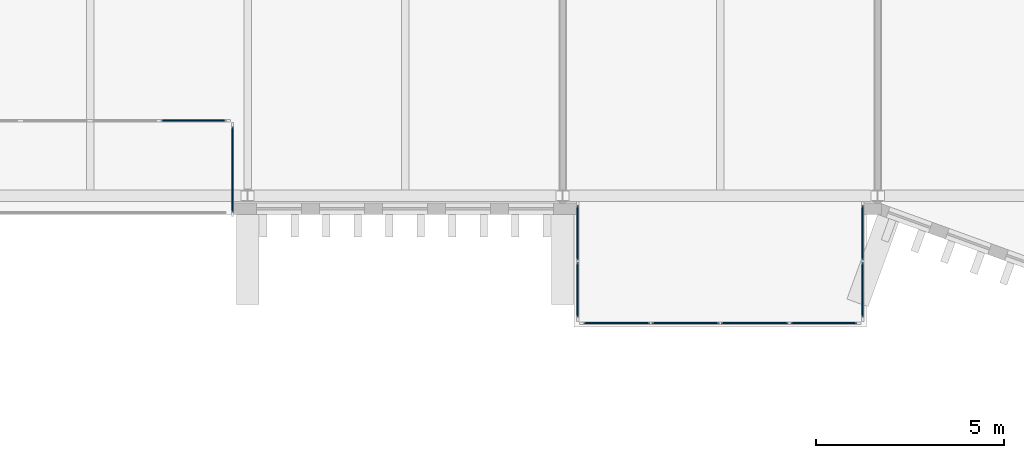
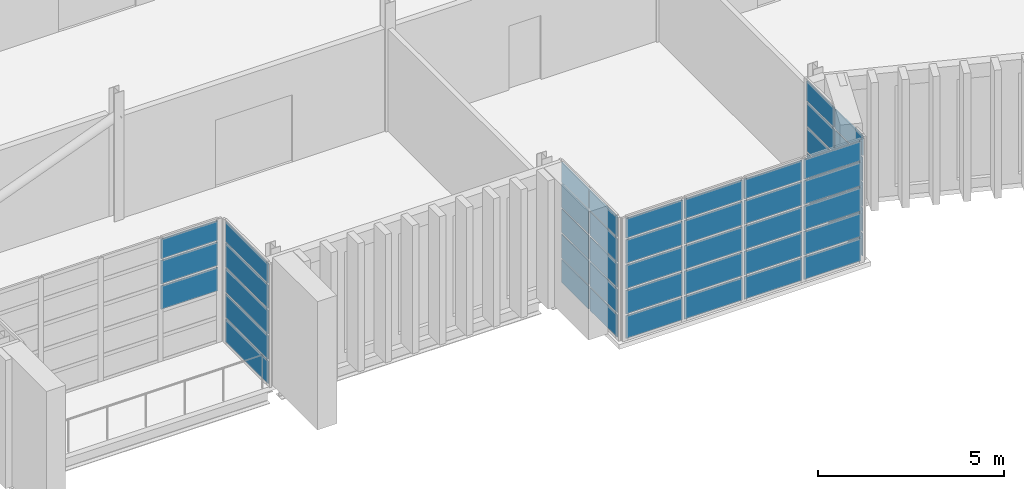
# One storey, part 48 of 100: 48 plates, 5 elements without a shape of their own.
"""IFC4 building model written with IfcOpenShell, lengths in metres."""

from ifc_helpers import new_model, si_unit, direction, frame, origin, origin_2d, place, context, subcontext, project, spatial, rectangle, extrude, material, layer, layer_set, type_object, element, aggregate, save


model = new_model("IFC4")

# Units and contexts
model_context = context("Model", 3, precision=1e-05, world=origin(), true_north=direction((0.0, 1.0)))
body_context = subcontext(model_context, "Body", "Model", "MODEL_VIEW")
ifc_project = project(units=[si_unit("LENGTHUNIT", "METRE"), si_unit("AREAUNIT", "SQUARE_METRE"), si_unit("VOLUMEUNIT", "CUBIC_METRE"), si_unit("PLANEANGLEUNIT", "RADIAN"), si_unit("MASSUNIT", "GRAM", prefix="KILO")], contexts=[model_context])

# Site, building, storey
site_placement = place(None, origin())
site = spatial("IfcSite", under=ifc_project, at=site_placement, CompositionType="ELEMENT")
building_placement = place(site_placement, origin())
building = spatial("IfcBuilding", under=site, at=building_placement, Name="Cresset Court Congress Hotel", CompositionType="ELEMENT")
storey_placement = place(building_placement, frame((0.0, 0.0, 10.199951171875)))
storey = spatial("IfcBuildingStorey", under=building, at=storey_placement, Name="L02", CompositionType="ELEMENT", Elevation=10.199951171875)

# Curtain wall, plates
ifc_material_1 = material(Name="Aluminium frame with double glazing", Category="aluminium")
ifc_layer_1 = layer(ifc_material_1, 0.199951171875)
ifc_layer_set_1 = layer_set([ifc_layer_1], Name="Glazed box curtain wall 1680 module")
curtain_wall_type = type_object("IfcCurtainWallType", Name="Glazed box curtain wall 1680 module", PredefinedType="NOTDEFINED", material=ifc_layer_set_1)
curtain_wall_1_placement = place(storey_placement, origin())
curtain_wall_1 = element("IfcCurtainWall", 1, at=curtain_wall_1_placement, inside=storey, type_object=curtain_wall_type, Name="Glazed box S0210 front", PredefinedType="NOTDEFINED")
ifc_material_2 = material(Name="Toughened double glazing", Category="glass")
ifc_layer_2 = layer(ifc_material_2, 0.028076171875)
ifc_layer_set_2 = layer_set([ifc_layer_2], Name="Box glass panel 28")
plate_type_1 = type_object("IfcPlateType", Name="Box glass panel 28", PredefinedType="CURTAIN_PANEL", material=ifc_layer_set_2)
plate_1_placement = place(storey_placement, frame((82.56005859375, 2.0, 1.68994140625), z_axis=(0.0, 0.0, 1.0), x_axis=(1.0, 0.0, 0.0)))
plate_1 = element("IfcPlate", 2, at=plate_1_placement, type_object=plate_type_1, Name="B-X1 panel 4.3", PredefinedType="CURTAIN_PANEL", context=body_context, shape_type="SweptSolid", body=[
    extrude(rectangle(XDim=1.760009765625, YDim=0.028076171875, at=origin_2d()), origin(), (0.0, 0.0, 1.0), 0.77001953125),
])
plate_2_placement = place(storey_placement, frame((82.56005859375, 2.0, 2.52001953125), z_axis=(0.0, 0.0, 1.0), x_axis=(1.0, 0.0, 0.0)))
plate_2 = element("IfcPlate", 3, at=plate_2_placement, type_object=plate_type_1, Name="B-X1 panel 4.4", PredefinedType="CURTAIN_PANEL", context=body_context, shape_type="SweptSolid", body=[
    extrude(rectangle(XDim=1.760009765625, YDim=0.028076171875, at=origin_2d()), origin(), (0.0, 0.0, 1.0), 0.77001953125),
])

curtain_wall_2_placement = place(storey_placement, origin())
curtain_wall_2 = element("IfcCurtainWall", 4, at=curtain_wall_2_placement, inside=storey, type_object=curtain_wall_type, Name="Glazed box S0210 side", PredefinedType="NOTDEFINED")
plate_3_placement = place(storey_placement, frame((83.60009765625, 0.699951171875, 0.06005859375), z_axis=(0.0, 0.0, 1.0), x_axis=(0.0, 1.0, 0.0)))
plate_3 = element("IfcPlate", 5, at=plate_3_placement, type_object=plate_type_1, Name="B-X1 panel 1.1", PredefinedType="CURTAIN_PANEL", context=body_context, shape_type="SweptSolid", body=[
    extrude(rectangle(XDim=2.280029296875, YDim=0.028076171875, at=origin_2d()), origin(), (0.0, 0.0, 1.0), 0.739990234375),
])
plate_4_placement = place(storey_placement, frame((83.60009765625, 0.699951171875, 0.860107421875), z_axis=(0.0, 0.0, 1.0), x_axis=(0.0, 1.0, 0.0)))
plate_4 = element("IfcPlate", 6, at=plate_4_placement, type_object=plate_type_1, Name="B-X1 panel 1.2", PredefinedType="CURTAIN_PANEL", context=body_context, shape_type="SweptSolid", body=[
    extrude(rectangle(XDim=2.280029296875, YDim=0.028076171875, at=origin_2d()), origin(), (0.0, 0.0, 1.0), 0.77001953125),
])
plate_5_placement = place(storey_placement, frame((83.60009765625, 0.699951171875, 1.68994140625), z_axis=(0.0, 0.0, 1.0), x_axis=(0.0, 1.0, 0.0)))
plate_5 = element("IfcPlate", 7, at=plate_5_placement, type_object=plate_type_1, Name="B-X1 panel 1.3", PredefinedType="CURTAIN_PANEL", context=body_context, shape_type="SweptSolid", body=[
    extrude(rectangle(XDim=2.280029296875, YDim=0.028076171875, at=origin_2d()), origin(), (0.0, 0.0, 1.0), 0.77001953125),
])
plate_6_placement = place(storey_placement, frame((83.60009765625, 0.699951171875, 2.52001953125), z_axis=(0.0, 0.0, 1.0), x_axis=(0.0, 1.0, 0.0)))
plate_6 = element("IfcPlate", 8, at=plate_6_placement, type_object=plate_type_1, Name="B-X1 panel 1.4", PredefinedType="CURTAIN_PANEL", context=body_context, shape_type="SweptSolid", body=[
    extrude(rectangle(XDim=2.280029296875, YDim=0.028076171875, at=origin_2d()), origin(), (0.0, 0.0, 1.0), 0.77001953125),
])

curtain_wall_3_placement = place(storey_placement, origin())
curtain_wall_3 = element("IfcCurtainWall", 9, at=curtain_wall_3_placement, inside=storey, type_object=curtain_wall_type, Name="Glazed box S0213 front", PredefinedType="NOTDEFINED")
plate_7_placement = place(storey_placement, frame((93.840087890625, -3.39990234375, 0.06005859375), z_axis=(0.0, 0.0, 1.0), x_axis=(1.0, 0.0, 0.0)))
plate_7 = element("IfcPlate", 10, at=plate_7_placement, type_object=plate_type_1, Name="B-X1 panel 1.1", PredefinedType="CURTAIN_PANEL", context=body_context, shape_type="SweptSolid", body=[
    extrude(rectangle(XDim=1.760009765625, YDim=0.028076171875, at=origin_2d()), origin(), (0.0, 0.0, 1.0), 0.739990234375),
])
plate_8_placement = place(storey_placement, frame((93.840087890625, -3.39990234375, 0.860107421875), z_axis=(0.0, 0.0, 1.0), x_axis=(1.0, 0.0, 0.0)))
plate_8 = element("IfcPlate", 11, at=plate_8_placement, type_object=plate_type_1, Name="B-X1 panel 1.2", PredefinedType="CURTAIN_PANEL", context=body_context, shape_type="SweptSolid", body=[
    extrude(rectangle(XDim=1.760009765625, YDim=0.028076171875, at=origin_2d()), origin(), (0.0, 0.0, 1.0), 0.77001953125),
])
plate_9_placement = place(storey_placement, frame((93.840087890625, -3.39990234375, 1.68994140625), z_axis=(0.0, 0.0, 1.0), x_axis=(1.0, 0.0, 0.0)))
plate_9 = element("IfcPlate", 12, at=plate_9_placement, type_object=plate_type_1, Name="B-X1 panel 1.3", PredefinedType="CURTAIN_PANEL", context=body_context, shape_type="SweptSolid", body=[
    extrude(rectangle(XDim=1.760009765625, YDim=0.028076171875, at=origin_2d()), origin(), (0.0, 0.0, 1.0), 0.77001953125),
])
plate_10_placement = place(storey_placement, frame((93.840087890625, -3.39990234375, 2.52001953125), z_axis=(0.0, 0.0, 1.0), x_axis=(1.0, 0.0, 0.0)))
plate_10 = element("IfcPlate", 13, at=plate_10_placement, type_object=plate_type_1, Name="B-X1 panel 1.4", PredefinedType="CURTAIN_PANEL", context=body_context, shape_type="SweptSolid", body=[
    extrude(rectangle(XDim=1.760009765625, YDim=0.028076171875, at=origin_2d()), origin(), (0.0, 0.0, 1.0), 0.77001953125),
])
plate_11_placement = place(storey_placement, frame((95.675048828125, -3.39990234375, 0.06005859375), z_axis=(0.0, 0.0, 1.0), x_axis=(1.0, 0.0, 0.0)))
plate_11 = element("IfcPlate", 14, at=plate_11_placement, type_object=plate_type_1, Name="B-X1 panel 2.1", PredefinedType="CURTAIN_PANEL", context=body_context, shape_type="SweptSolid", body=[
    extrude(rectangle(XDim=1.7900390625, YDim=0.028076171875, at=origin_2d()), origin(), (0.0, 0.0, 1.0), 0.739990234375),
])
plate_12_placement = place(storey_placement, frame((95.675048828125, -3.39990234375, 0.860107421875), z_axis=(0.0, 0.0, 1.0), x_axis=(1.0, 0.0, 0.0)))
plate_12 = element("IfcPlate", 15, at=plate_12_placement, type_object=plate_type_1, Name="B-X1 panel 2.2", PredefinedType="CURTAIN_PANEL", context=body_context, shape_type="SweptSolid", body=[
    extrude(rectangle(XDim=1.7900390625, YDim=0.028076171875, at=origin_2d()), origin(), (0.0, 0.0, 1.0), 0.77001953125),
])
plate_13_placement = place(storey_placement, frame((95.675048828125, -3.39990234375, 1.68994140625), z_axis=(0.0, 0.0, 1.0), x_axis=(1.0, 0.0, 0.0)))
plate_13 = element("IfcPlate", 16, at=plate_13_placement, type_object=plate_type_1, Name="B-X1 panel 2.3", PredefinedType="CURTAIN_PANEL", context=body_context, shape_type="SweptSolid", body=[
    extrude(rectangle(XDim=1.7900390625, YDim=0.028076171875, at=origin_2d()), origin(), (0.0, 0.0, 1.0), 0.77001953125),
])
plate_14_placement = place(storey_placement, frame((95.675048828125, -3.39990234375, 2.52001953125), z_axis=(0.0, 0.0, 1.0), x_axis=(1.0, 0.0, 0.0)))
plate_14 = element("IfcPlate", 17, at=plate_14_placement, type_object=plate_type_1, Name="B-X1 panel 2.4", PredefinedType="CURTAIN_PANEL", context=body_context, shape_type="SweptSolid", body=[
    extrude(rectangle(XDim=1.7900390625, YDim=0.028076171875, at=origin_2d()), origin(), (0.0, 0.0, 1.0), 0.77001953125),
])
plate_15_placement = place(storey_placement, frame((97.52490234375, -3.39990234375, 0.06005859375), z_axis=(0.0, 0.0, 1.0), x_axis=(1.0, 0.0, 0.0)))
plate_15 = element("IfcPlate", 18, at=plate_15_placement, type_object=plate_type_1, Name="B-X1 panel 3.1", PredefinedType="CURTAIN_PANEL", context=body_context, shape_type="SweptSolid", body=[
    extrude(rectangle(XDim=1.7900390625, YDim=0.028076171875, at=origin_2d()), origin(), (0.0, 0.0, 1.0), 0.739990234375),
])
plate_16_placement = place(storey_placement, frame((97.52490234375, -3.39990234375, 0.860107421875), z_axis=(0.0, 0.0, 1.0), x_axis=(1.0, 0.0, 0.0)))
plate_16 = element("IfcPlate", 19, at=plate_16_placement, type_object=plate_type_1, Name="B-X1 panel 3.2", PredefinedType="CURTAIN_PANEL", context=body_context, shape_type="SweptSolid", body=[
    extrude(rectangle(XDim=1.7900390625, YDim=0.028076171875, at=origin_2d()), origin(), (0.0, 0.0, 1.0), 0.77001953125),
])
plate_17_placement = place(storey_placement, frame((97.52490234375, -3.39990234375, 1.68994140625), z_axis=(0.0, 0.0, 1.0), x_axis=(1.0, 0.0, 0.0)))
plate_17 = element("IfcPlate", 20, at=plate_17_placement, type_object=plate_type_1, Name="B-X1 panel 3.3", PredefinedType="CURTAIN_PANEL", context=body_context, shape_type="SweptSolid", body=[
    extrude(rectangle(XDim=1.7900390625, YDim=0.028076171875, at=origin_2d()), origin(), (0.0, 0.0, 1.0), 0.77001953125),
])
plate_18_placement = place(storey_placement, frame((97.52490234375, -3.39990234375, 2.52001953125), z_axis=(0.0, 0.0, 1.0), x_axis=(1.0, 0.0, 0.0)))
plate_18 = element("IfcPlate", 21, at=plate_18_placement, type_object=plate_type_1, Name="B-X1 panel 3.4", PredefinedType="CURTAIN_PANEL", context=body_context, shape_type="SweptSolid", body=[
    extrude(rectangle(XDim=1.7900390625, YDim=0.028076171875, at=origin_2d()), origin(), (0.0, 0.0, 1.0), 0.77001953125),
])
plate_19_placement = place(storey_placement, frame((99.360107421875, -3.39990234375, 0.06005859375), z_axis=(0.0, 0.0, 1.0), x_axis=(1.0, 0.0, 0.0)))
plate_19 = element("IfcPlate", 22, at=plate_19_placement, type_object=plate_type_1, Name="B-X1 panel 4.1", PredefinedType="CURTAIN_PANEL", context=body_context, shape_type="SweptSolid", body=[
    extrude(rectangle(XDim=1.760009765625, YDim=0.028076171875, at=origin_2d()), origin(), (0.0, 0.0, 1.0), 0.739990234375),
])
plate_20_placement = place(storey_placement, frame((99.360107421875, -3.39990234375, 0.860107421875), z_axis=(0.0, 0.0, 1.0), x_axis=(1.0, 0.0, 0.0)))
plate_20 = element("IfcPlate", 23, at=plate_20_placement, type_object=plate_type_1, Name="B-X1 panel 4.2", PredefinedType="CURTAIN_PANEL", context=body_context, shape_type="SweptSolid", body=[
    extrude(rectangle(XDim=1.760009765625, YDim=0.028076171875, at=origin_2d()), origin(), (0.0, 0.0, 1.0), 0.77001953125),
])
plate_21_placement = place(storey_placement, frame((99.360107421875, -3.39990234375, 1.68994140625), z_axis=(0.0, 0.0, 1.0), x_axis=(1.0, 0.0, 0.0)))
plate_21 = element("IfcPlate", 24, at=plate_21_placement, type_object=plate_type_1, Name="B-X1 panel 4.3", PredefinedType="CURTAIN_PANEL", context=body_context, shape_type="SweptSolid", body=[
    extrude(rectangle(XDim=1.760009765625, YDim=0.028076171875, at=origin_2d()), origin(), (0.0, 0.0, 1.0), 0.77001953125),
])
plate_22_placement = place(storey_placement, frame((99.360107421875, -3.39990234375, 2.52001953125), z_axis=(0.0, 0.0, 1.0), x_axis=(1.0, 0.0, 0.0)))
plate_22 = element("IfcPlate", 25, at=plate_22_placement, type_object=plate_type_1, Name="B-X1 panel 4.4", PredefinedType="CURTAIN_PANEL", context=body_context, shape_type="SweptSolid", body=[
    extrude(rectangle(XDim=1.760009765625, YDim=0.028076171875, at=origin_2d()), origin(), (0.0, 0.0, 1.0), 0.77001953125),
])

curtain_wall_4_placement = place(storey_placement, origin())
curtain_wall_4 = element("IfcCurtainWall", 26, at=curtain_wall_4_placement, inside=storey, type_object=curtain_wall_type, Name="Glazed box S0213 side", PredefinedType="NOTDEFINED")
plate_23_placement = place(storey_placement, frame((92.800048828125, -0.989990234375, 0.06005859375), z_axis=(0.0, 0.0, 1.0), x_axis=(0.0, -1.0, 0.0)))
plate_23 = element("IfcPlate", 27, at=plate_23_placement, type_object=plate_type_1, Name="B-X1 panel 1.1", PredefinedType="CURTAIN_PANEL", context=body_context, shape_type="SweptSolid", body=[
    extrude(rectangle(XDim=1.4599609375, YDim=0.028076171875, at=origin_2d()), origin(), (0.0, 0.0, 1.0), 0.739990234375),
])
plate_24_placement = place(storey_placement, frame((92.800048828125, -0.989990234375, 0.860107421875), z_axis=(0.0, 0.0, 1.0), x_axis=(0.0, -1.0, 0.0)))
plate_24 = element("IfcPlate", 28, at=plate_24_placement, type_object=plate_type_1, Name="B-X1 panel 1.2", PredefinedType="CURTAIN_PANEL", context=body_context, shape_type="SweptSolid", body=[
    extrude(rectangle(XDim=1.4599609375, YDim=0.028076171875, at=origin_2d()), origin(), (0.0, 0.0, 1.0), 0.77001953125),
])
plate_25_placement = place(storey_placement, frame((92.800048828125, -0.989990234375, 1.68994140625), z_axis=(0.0, 0.0, 1.0), x_axis=(0.0, -1.0, 0.0)))
plate_25 = element("IfcPlate", 29, at=plate_25_placement, type_object=plate_type_1, Name="B-X1 panel 1.3", PredefinedType="CURTAIN_PANEL", context=body_context, shape_type="SweptSolid", body=[
    extrude(rectangle(XDim=1.4599609375, YDim=0.028076171875, at=origin_2d()), origin(), (0.0, 0.0, 1.0), 0.77001953125),
])
plate_26_placement = place(storey_placement, frame((92.800048828125, -0.989990234375, 2.52001953125), z_axis=(0.0, 0.0, 1.0), x_axis=(0.0, -1.0, 0.0)))
plate_26 = element("IfcPlate", 30, at=plate_26_placement, type_object=plate_type_1, Name="B-X1 panel 1.4", PredefinedType="CURTAIN_PANEL", context=body_context, shape_type="SweptSolid", body=[
    extrude(rectangle(XDim=1.4599609375, YDim=0.028076171875, at=origin_2d()), origin(), (0.0, 0.0, 1.0), 0.77001953125),
])
plate_27_placement = place(storey_placement, frame((92.800048828125, -2.510009765625, 0.06005859375), z_axis=(0.0, 0.0, 1.0), x_axis=(0.0, -1.0, 0.0)))
plate_27 = element("IfcPlate", 31, at=plate_27_placement, type_object=plate_type_1, Name="B-X1 panel 2.1", PredefinedType="CURTAIN_PANEL", context=body_context, shape_type="SweptSolid", body=[
    extrude(rectangle(XDim=1.4599609375, YDim=0.028076171875, at=origin_2d()), origin(), (0.0, 0.0, 1.0), 0.739990234375),
])
plate_28_placement = place(storey_placement, frame((92.800048828125, -2.510009765625, 0.860107421875), z_axis=(0.0, 0.0, 1.0), x_axis=(0.0, -1.0, 0.0)))
plate_28 = element("IfcPlate", 32, at=plate_28_placement, type_object=plate_type_1, Name="B-X1 panel 2.2", PredefinedType="CURTAIN_PANEL", context=body_context, shape_type="SweptSolid", body=[
    extrude(rectangle(XDim=1.4599609375, YDim=0.028076171875, at=origin_2d()), origin(), (0.0, 0.0, 1.0), 0.77001953125),
])
plate_29_placement = place(storey_placement, frame((92.800048828125, -2.510009765625, 1.68994140625), z_axis=(0.0, 0.0, 1.0), x_axis=(0.0, -1.0, 0.0)))
plate_29 = element("IfcPlate", 33, at=plate_29_placement, type_object=plate_type_1, Name="B-X1 panel 2.3", PredefinedType="CURTAIN_PANEL", context=body_context, shape_type="SweptSolid", body=[
    extrude(rectangle(XDim=1.4599609375, YDim=0.028076171875, at=origin_2d()), origin(), (0.0, 0.0, 1.0), 0.77001953125),
])
plate_30_placement = place(storey_placement, frame((92.800048828125, -2.510009765625, 2.52001953125), z_axis=(0.0, 0.0, 1.0), x_axis=(0.0, -1.0, 0.0)))
plate_30 = element("IfcPlate", 34, at=plate_30_placement, type_object=plate_type_1, Name="B-X1 panel 2.4", PredefinedType="CURTAIN_PANEL", context=body_context, shape_type="SweptSolid", body=[
    extrude(rectangle(XDim=1.4599609375, YDim=0.028076171875, at=origin_2d()), origin(), (0.0, 0.0, 1.0), 0.77001953125),
])

curtain_wall_5_placement = place(storey_placement, origin())
curtain_wall_5 = element("IfcCurtainWall", 35, at=curtain_wall_5_placement, inside=storey, type_object=curtain_wall_type, Name="Glazed box S0213 side", PredefinedType="NOTDEFINED")
plate_31_placement = place(storey_placement, frame((100.39990234375, -0.989990234375, 0.06005859375), z_axis=(0.0, 0.0, 1.0), x_axis=(0.0, -1.0, 0.0)))
plate_31 = element("IfcPlate", 36, at=plate_31_placement, type_object=plate_type_1, Name="B-X1 panel 1.1", PredefinedType="CURTAIN_PANEL", context=body_context, shape_type="SweptSolid", body=[
    extrude(rectangle(XDim=1.4599609375, YDim=0.028076171875, at=origin_2d()), origin(), (0.0, 0.0, 1.0), 0.739990234375),
])
plate_32_placement = place(storey_placement, frame((100.39990234375, -0.989990234375, 0.860107421875), z_axis=(0.0, 0.0, 1.0), x_axis=(0.0, -1.0, 0.0)))
plate_32 = element("IfcPlate", 37, at=plate_32_placement, type_object=plate_type_1, Name="B-X1 panel 1.2", PredefinedType="CURTAIN_PANEL", context=body_context, shape_type="SweptSolid", body=[
    extrude(rectangle(XDim=1.4599609375, YDim=0.028076171875, at=origin_2d()), origin(), (0.0, 0.0, 1.0), 0.77001953125),
])
plate_33_placement = place(storey_placement, frame((100.39990234375, -0.989990234375, 1.68994140625), z_axis=(0.0, 0.0, 1.0), x_axis=(0.0, -1.0, 0.0)))
plate_33 = element("IfcPlate", 38, at=plate_33_placement, type_object=plate_type_1, Name="B-X1 panel 1.3", PredefinedType="CURTAIN_PANEL", context=body_context, shape_type="SweptSolid", body=[
    extrude(rectangle(XDim=1.4599609375, YDim=0.028076171875, at=origin_2d()), origin(), (0.0, 0.0, 1.0), 0.77001953125),
])
plate_34_placement = place(storey_placement, frame((100.39990234375, -0.989990234375, 2.52001953125), z_axis=(0.0, 0.0, 1.0), x_axis=(0.0, -1.0, 0.0)))
plate_34 = element("IfcPlate", 39, at=plate_34_placement, type_object=plate_type_1, Name="B-X1 panel 1.4", PredefinedType="CURTAIN_PANEL", context=body_context, shape_type="SweptSolid", body=[
    extrude(rectangle(XDim=1.4599609375, YDim=0.028076171875, at=origin_2d()), origin(), (0.0, 0.0, 1.0), 0.77001953125),
])
plate_35_placement = place(storey_placement, frame((100.39990234375, -2.510009765625, 0.06005859375), z_axis=(0.0, 0.0, 1.0), x_axis=(0.0, -1.0, 0.0)))
plate_35 = element("IfcPlate", 40, at=plate_35_placement, type_object=plate_type_1, Name="B-X1 panel 2.1", PredefinedType="CURTAIN_PANEL", context=body_context, shape_type="SweptSolid", body=[
    extrude(rectangle(XDim=1.4599609375, YDim=0.028076171875, at=origin_2d()), origin(), (0.0, 0.0, 1.0), 0.739990234375),
])
plate_36_placement = place(storey_placement, frame((100.39990234375, -2.510009765625, 0.860107421875), z_axis=(0.0, 0.0, 1.0), x_axis=(0.0, -1.0, 0.0)))
plate_36 = element("IfcPlate", 41, at=plate_36_placement, type_object=plate_type_1, Name="B-X1 panel 2.2", PredefinedType="CURTAIN_PANEL", context=body_context, shape_type="SweptSolid", body=[
    extrude(rectangle(XDim=1.4599609375, YDim=0.028076171875, at=origin_2d()), origin(), (0.0, 0.0, 1.0), 0.77001953125),
])
plate_37_placement = place(storey_placement, frame((100.39990234375, -2.510009765625, 1.68994140625), z_axis=(0.0, 0.0, 1.0), x_axis=(0.0, -1.0, 0.0)))
plate_37 = element("IfcPlate", 42, at=plate_37_placement, type_object=plate_type_1, Name="B-X1 panel 2.3", PredefinedType="CURTAIN_PANEL", context=body_context, shape_type="SweptSolid", body=[
    extrude(rectangle(XDim=1.4599609375, YDim=0.028076171875, at=origin_2d()), origin(), (0.0, 0.0, 1.0), 0.77001953125),
])
plate_38_placement = place(storey_placement, frame((100.39990234375, -2.510009765625, 2.52001953125), z_axis=(0.0, 0.0, 1.0), x_axis=(0.0, -1.0, 0.0)))
plate_38 = element("IfcPlate", 43, at=plate_38_placement, type_object=plate_type_1, Name="B-X1 panel 2.4", PredefinedType="CURTAIN_PANEL", context=body_context, shape_type="SweptSolid", body=[
    extrude(rectangle(XDim=1.4599609375, YDim=0.028076171875, at=origin_2d()), origin(), (0.0, 0.0, 1.0), 0.77001953125),
])

# Plate
ifc_material_3 = material(Name="Insulated aluminium spandrel panel", Category="aluminium")
ifc_layer_3 = layer(ifc_material_3, 0.0400390625)
ifc_layer_set_3 = layer_set([ifc_layer_3], Name="Box spandrel panel 40")
plate_type_2 = type_object("IfcPlateType", Name="Box spandrel panel 40", PredefinedType="CURTAIN_PANEL", material=ifc_layer_set_3)
plate_39_placement = place(storey_placement, frame((82.56005859375, 2.0, 3.35009765625), z_axis=(0.0, 0.0, 1.0), x_axis=(1.0, 0.0, 0.0)))
plate_39 = element("IfcPlate", 44, at=plate_39_placement, type_object=plate_type_2, Name="B-X1 spandrel panel 4.5", PredefinedType="CURTAIN_PANEL", context=body_context, shape_type="SweptSolid", body=[
    extrude(rectangle(XDim=1.760009765625, YDim=0.0400390625, at=origin_2d()), origin(), (0.0, 0.0, 1.0), 0.639892578125),
])

aggregate(curtain_wall_1, [plate_1, plate_2, plate_39])

plate_40_placement = place(storey_placement, frame((83.60009765625, 0.699951171875, 3.35009765625), z_axis=(0.0, 0.0, 1.0), x_axis=(0.0, 1.0, 0.0)))
plate_40 = element("IfcPlate", 45, at=plate_40_placement, type_object=plate_type_2, Name="B-X1 spandrel panel 1.5", PredefinedType="CURTAIN_PANEL", context=body_context, shape_type="SweptSolid", body=[
    extrude(rectangle(XDim=2.280029296875, YDim=0.0400390625, at=origin_2d()), origin(), (0.0, 0.0, 1.0), 0.639892578125),
])

aggregate(curtain_wall_2, [plate_3, plate_4, plate_5, plate_6, plate_40])

plate_41_placement = place(storey_placement, frame((93.840087890625, -3.39990234375, 3.35009765625), z_axis=(0.0, 0.0, 1.0), x_axis=(1.0, 0.0, 0.0)))
plate_41 = element("IfcPlate", 46, at=plate_41_placement, type_object=plate_type_2, Name="B-X1 spandrel panel 1.5", PredefinedType="CURTAIN_PANEL", context=body_context, shape_type="SweptSolid", body=[
    extrude(rectangle(XDim=1.760009765625, YDim=0.0400390625, at=origin_2d()), origin(), (0.0, 0.0, 1.0), 0.639892578125),
])

plate_42_placement = place(storey_placement, frame((95.675048828125, -3.39990234375, 3.35009765625), z_axis=(0.0, 0.0, 1.0), x_axis=(1.0, 0.0, 0.0)))
plate_42 = element("IfcPlate", 47, at=plate_42_placement, type_object=plate_type_2, Name="B-X1 spandrel panel 2.5", PredefinedType="CURTAIN_PANEL", context=body_context, shape_type="SweptSolid", body=[
    extrude(rectangle(XDim=1.7900390625, YDim=0.0400390625, at=origin_2d()), origin(), (0.0, 0.0, 1.0), 0.639892578125),
])

plate_43_placement = place(storey_placement, frame((97.52490234375, -3.39990234375, 3.35009765625), z_axis=(0.0, 0.0, 1.0), x_axis=(1.0, 0.0, 0.0)))
plate_43 = element("IfcPlate", 48, at=plate_43_placement, type_object=plate_type_2, Name="B-X1 spandrel panel 3.5", PredefinedType="CURTAIN_PANEL", context=body_context, shape_type="SweptSolid", body=[
    extrude(rectangle(XDim=1.7900390625, YDim=0.0400390625, at=origin_2d()), origin(), (0.0, 0.0, 1.0), 0.639892578125),
])

plate_44_placement = place(storey_placement, frame((99.360107421875, -3.39990234375, 3.35009765625), z_axis=(0.0, 0.0, 1.0), x_axis=(1.0, 0.0, 0.0)))
plate_44 = element("IfcPlate", 49, at=plate_44_placement, type_object=plate_type_2, Name="B-X1 spandrel panel 4.5", PredefinedType="CURTAIN_PANEL", context=body_context, shape_type="SweptSolid", body=[
    extrude(rectangle(XDim=1.760009765625, YDim=0.0400390625, at=origin_2d()), origin(), (0.0, 0.0, 1.0), 0.639892578125),
])

aggregate(curtain_wall_3, [plate_7, plate_8, plate_9, plate_10, plate_41, plate_11, plate_12, plate_13, plate_14, plate_42, plate_15, plate_16, plate_17, plate_18, plate_43, plate_19, plate_20, plate_21, plate_22, plate_44])

plate_45_placement = place(storey_placement, frame((92.800048828125, -0.989990234375, 3.35009765625), z_axis=(0.0, 0.0, 1.0), x_axis=(0.0, -1.0, 0.0)))
plate_45 = element("IfcPlate", 50, at=plate_45_placement, type_object=plate_type_2, Name="B-X1 spandrel panel 1.5", PredefinedType="CURTAIN_PANEL", context=body_context, shape_type="SweptSolid", body=[
    extrude(rectangle(XDim=1.4599609375, YDim=0.0400390625, at=origin_2d()), origin(), (0.0, 0.0, 1.0), 0.639892578125),
])

plate_46_placement = place(storey_placement, frame((92.800048828125, -2.510009765625, 3.35009765625), z_axis=(0.0, 0.0, 1.0), x_axis=(0.0, -1.0, 0.0)))
plate_46 = element("IfcPlate", 51, at=plate_46_placement, type_object=plate_type_2, Name="B-X1 spandrel panel 2.5", PredefinedType="CURTAIN_PANEL", context=body_context, shape_type="SweptSolid", body=[
    extrude(rectangle(XDim=1.4599609375, YDim=0.0400390625, at=origin_2d()), origin(), (0.0, 0.0, 1.0), 0.639892578125),
])

aggregate(curtain_wall_4, [plate_23, plate_24, plate_25, plate_26, plate_45, plate_27, plate_28, plate_29, plate_30, plate_46])

plate_47_placement = place(storey_placement, frame((100.39990234375, -0.989990234375, 3.35009765625), z_axis=(0.0, 0.0, 1.0), x_axis=(0.0, -1.0, 0.0)))
plate_47 = element("IfcPlate", 52, at=plate_47_placement, type_object=plate_type_2, Name="B-X1 spandrel panel 1.5", PredefinedType="CURTAIN_PANEL", context=body_context, shape_type="SweptSolid", body=[
    extrude(rectangle(XDim=1.4599609375, YDim=0.0400390625, at=origin_2d()), origin(), (0.0, 0.0, 1.0), 0.639892578125),
])

plate_48_placement = place(storey_placement, frame((100.39990234375, -2.510009765625, 3.35009765625), z_axis=(0.0, 0.0, 1.0), x_axis=(0.0, -1.0, 0.0)))
plate_48 = element("IfcPlate", 53, at=plate_48_placement, type_object=plate_type_2, Name="B-X1 spandrel panel 2.5", PredefinedType="CURTAIN_PANEL", context=body_context, shape_type="SweptSolid", body=[
    extrude(rectangle(XDim=1.4599609375, YDim=0.0400390625, at=origin_2d()), origin(), (0.0, 0.0, 1.0), 0.639892578125),
])

aggregate(curtain_wall_5, [plate_31, plate_32, plate_33, plate_34, plate_47, plate_35, plate_36, plate_37, plate_38, plate_48])

save(model, "model.ifc")
